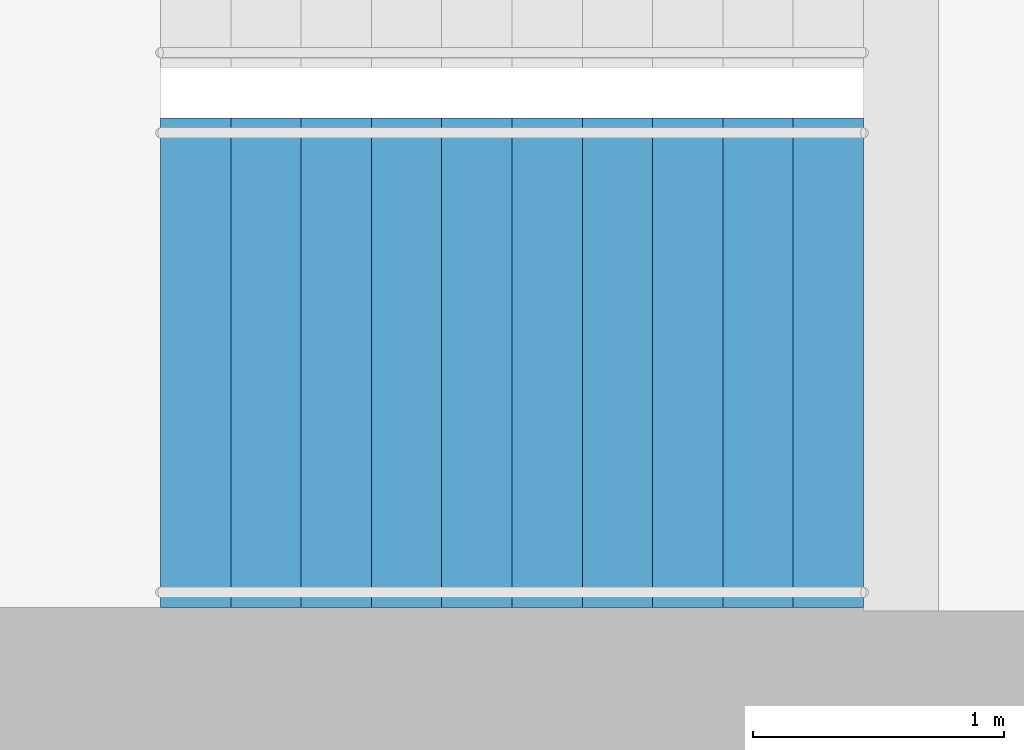
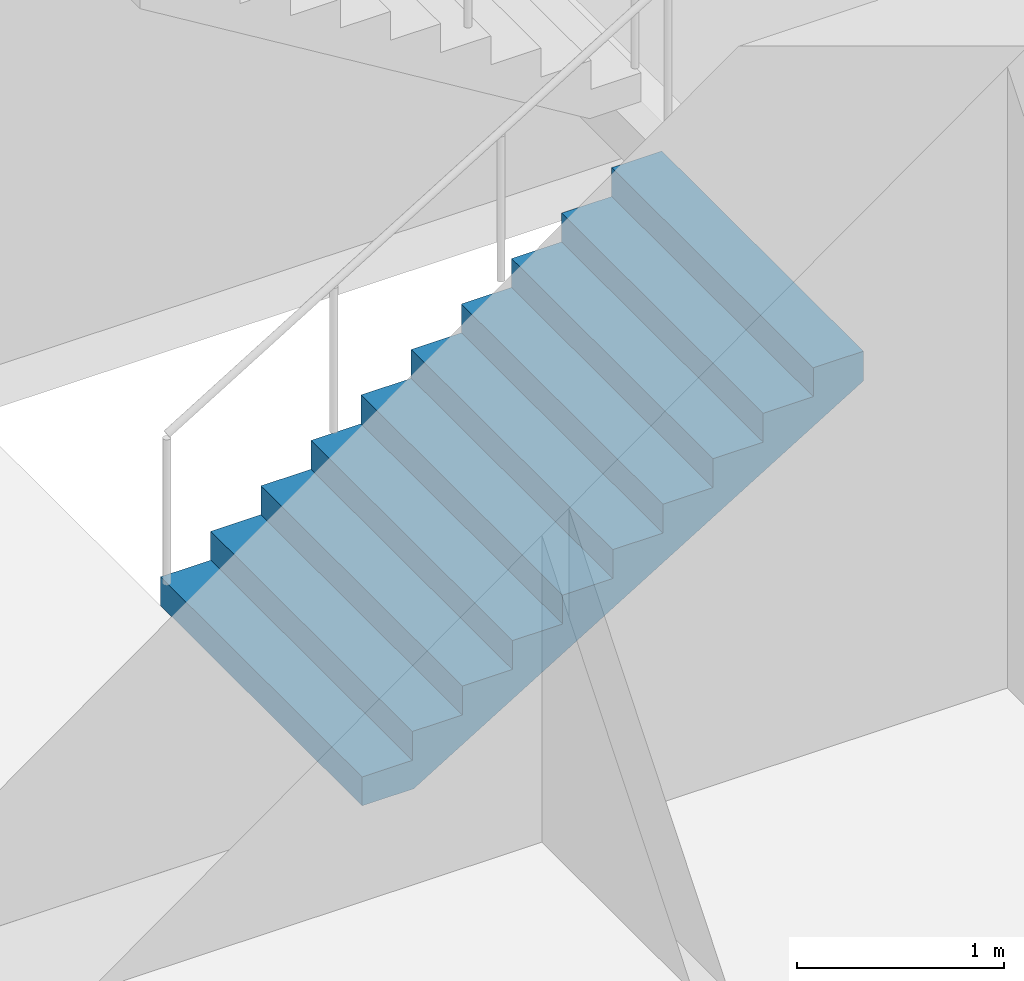
# One storey, part 19 of 23: 1 stair flight, 1 element without a shape of its own.
"""IFC4 building model written with IfcOpenShell, lengths in metres."""

import ifcopenshell
import ifcopenshell.guid

model = None  # the IFC model being written
_history = None  # IfcOwnerHistory: only IFC2X3 demands one
_inside = {}  # id of a spatial element -> (the spatial element, [elements in it])
_under = {}  # id of a project, library or spatial element -> (it, [spatial elements below it])
_declared = {}  # id of a project -> (the project, [libraries it declares])
_typed = {}  # id of a type object -> (the type object, [elements of that type])
_made_of = {}  # id of a material, layer set ... -> (it, [elements and type objects made of it])


def new_model(schema):
    """Start an empty IFC model of exactly this schema.

    Asked for "IFC4X3", IfcOpenShell would pick the latest addendum, in which some entities
    have other attributes; the version numbers below select the first issue.
    IFC2X3 requires an IfcOwnerHistory on every rooted entity: one is made here for all.
    """
    global model, _history
    if schema == "IFC4X3":
        model = ifcopenshell.file(schema_version=(4, 3, 0, 0))
    else:
        model = ifcopenshell.file(schema=schema)
    _inside.clear()
    _under.clear()
    _declared.clear()
    _typed.clear()
    _made_of.clear()
    _history = None
    if model.schema == "IFC2X3":
        org = make("IfcOrganization", Name="unknown")
        user = make(
            "IfcPersonAndOrganization",
            ThePerson=make("IfcPerson", FamilyName="unknown"),
            TheOrganization=org,
        )
        app = make(
            "IfcApplication",
            ApplicationDeveloper=org,
            Version="unknown",
            ApplicationFullName="unknown",
            ApplicationIdentifier="unknown",
        )
        _history = make(
            "IfcOwnerHistory",
            OwningUser=user,
            OwningApplication=app,
            ChangeAction="ADDED",
            CreationDate=0,
        )
    return model


def make(cls, **values):
    """One entity of the class cls with the attributes given. An attribute that is None is left unset."""
    return model.create_entity(
        cls, **{name: value for name, value in values.items() if value is not None}
    )


def rooted(cls, **values):
    """An entity with a GlobalId (a new one), such as an element, a storey or a relation."""
    return make(cls, GlobalId=ifcopenshell.guid.new(), OwnerHistory=_history, **values)


def si_unit(unit_type, name, prefix=None):
    """IfcSIUnit, for example si_unit("LENGTHUNIT", "METRE", prefix="MILLI")."""
    return make("IfcSIUnit", UnitType=unit_type, Prefix=prefix, Name=name)


def assignment(units):
    """IfcUnitAssignment: the units of a project."""
    return None if units is None else make("IfcUnitAssignment", Units=units)


def point(xyz):
    """IfcCartesianPoint."""
    return None if xyz is None else make("IfcCartesianPoint", Coordinates=xyz)


def direction(xyz):
    """IfcDirection."""
    return None if xyz is None else make("IfcDirection", DirectionRatios=xyz)


def frame(location, z_axis=None, x_axis=None):
    """IfcAxis2Placement3D, a coordinate frame: its origin and axes. An axis left out is left unset."""
    return make(
        "IfcAxis2Placement3D",
        Location=point(location),
        Axis=direction(z_axis),
        RefDirection=direction(x_axis),
    )


def origin():
    """The frame at (0, 0, 0) with its axes left unset."""
    return frame((0.0, 0.0, 0.0))


def place(relative_to, where):
    """IfcLocalPlacement: puts the frame where relative to a parent placement (None: the world)."""
    return make(
        "IfcLocalPlacement", PlacementRelTo=relative_to, RelativePlacement=where
    )


def context(
    kind, dimensions, precision=None, world=None, true_north=None, identifier=None
):
    """IfcGeometricRepresentationContext, for example the 3D "Model" context."""
    return make(
        "IfcGeometricRepresentationContext",
        ContextIdentifier=identifier,
        ContextType=kind,
        CoordinateSpaceDimension=dimensions,
        Precision=precision,
        WorldCoordinateSystem=world,
        TrueNorth=true_north,
    )


def subcontext(parent, identifier, kind, view, scale=None):
    """IfcGeometricRepresentationSubContext, for example "Body" below "Model"."""
    return make(
        "IfcGeometricRepresentationSubContext",
        ContextIdentifier=identifier,
        ContextType=kind,
        ParentContext=parent,
        TargetScale=scale,
        TargetView=view,
    )


def project(units=None, contexts=None):
    """IfcProject with its units and contexts."""
    return rooted(
        "IfcProject",
        Name="project",
        RepresentationContexts=contexts,
        UnitsInContext=assignment(units),
    )


def spatial(cls, under=None, at=None, **own):
    """A site, building, storey or space (cls), placed at a placement, below another one or the project."""
    s = rooted(cls, ObjectPlacement=at, **own)
    if under is not None:
        _under.setdefault(under.id(), (under, []))[1].append(s)
    return s


def point_list(points):
    """IfcCartesianPointList2D or 3D."""
    cls = (
        "IfcCartesianPointList2D" if len(points[0]) == 2 else "IfcCartesianPointList3D"
    )
    return make(cls, CoordList=points)


def triangles(points, corners, closed=None, point_numbers=None):
    """IfcTriangulatedFaceSet: each triangle names its three corners, points numbered from 1."""
    return make(
        "IfcTriangulatedFaceSet",
        Coordinates=point_list(points),
        Closed=closed,
        CoordIndex=corners,
        PnIndex=point_numbers,
    )


def shape(context_of_items, identifier, shape_type, items):
    """IfcShapeRepresentation: the items that make up one representation, for example the "Body"."""
    return make(
        "IfcShapeRepresentation",
        ContextOfItems=context_of_items,
        RepresentationIdentifier=identifier,
        RepresentationType=shape_type,
        Items=items,
    )


def material(Name=None, Category=None):
    """IfcMaterial."""
    return make("IfcMaterial", Name=Name, Category=Category)


def made_of(thing, what):
    """Note that an element or type object is made of a material, layer set ...; save() writes the relation."""
    if what is not None:
        _made_of.setdefault(what.id(), (what, []))[1].append(thing)
    return thing


def type_object(cls, material=None, **own):
    """A type object (cls), such as IfcWallType, which elements share."""
    return made_of(rooted(cls, **own), material)


def element(
    cls,
    number,
    at=None,
    inside=None,
    cuts=None,
    type_object=None,
    material=None,
    context=None,
    identifier="Body",
    shape_type=None,
    held_by="IfcProductDefinitionShape",
    body=None,
    shapes=None,
    **own,
):
    """One element of the class cls, such as IfcWall. Its Tag is "e" and its number.

    at: its placement. inside: the storey or other place that contains it. cuts: it is an
    opening in that element (IfcRelVoidsElement). A single representation is given by context,
    identifier, shape_type and body (its items); several are given by shapes. held_by: the class
    of the entity that holds the representations. save() writes the other relations.
    """
    e = rooted(cls, Tag="e%d" % number, ObjectPlacement=at, **own)
    if body is not None:
        shapes = [shape(context, identifier, shape_type, body)]
    if shapes is not None:
        e.Representation = make(held_by, Representations=shapes)
    if inside is not None:
        _inside.setdefault(inside.id(), (inside, []))[1].append(e)
    if cuts is not None:
        rooted(
            "IfcRelVoidsElement", RelatingBuildingElement=cuts, RelatedOpeningElement=e
        )
    if type_object is not None:
        _typed.setdefault(type_object.id(), (type_object, []))[1].append(e)
    return made_of(e, material)


def aggregate(whole, parts):
    """IfcRelAggregates: a whole, such as a stair, and the parts it consists of."""
    return rooted("IfcRelAggregates", RelatingObject=whole, RelatedObjects=parts)


def save(model, path):
    """Write the relations noted so far, then the file.

    IfcRelAggregates (storeys below a building ...), IfcRelContainedInSpatialStructure (elements
    in a storey), IfcRelDefinesByType, IfcRelAssociatesMaterial and IfcRelDeclares: one each for
    every whole, place, type object, material and project.
    """
    for whole, parts in _under.values():
        aggregate(whole, parts)
    for where, things in _inside.values():
        rooted(
            "IfcRelContainedInSpatialStructure",
            RelatedElements=things,
            RelatingStructure=where,
        )
    for kind, things in _typed.values():
        rooted("IfcRelDefinesByType", RelatedObjects=things, RelatingType=kind)
    for what, things in _made_of.values():
        rooted("IfcRelAssociatesMaterial", RelatedObjects=things, RelatingMaterial=what)
    for by, libraries in _declared.values():
        rooted("IfcRelDeclares", RelatingContext=by, RelatedDefinitions=libraries)
    model.write(path)


model = new_model("IFC4")

# Units and contexts
model_context = context("Model", 3, precision=1e-05, world=origin(), true_north=direction((0.0, 1.0)))
body_context = subcontext(model_context, "Body", "Model", "MODEL_VIEW")
ifc_project = project(units=[si_unit("LENGTHUNIT", "METRE"), si_unit("AREAUNIT", "SQUARE_METRE"), si_unit("VOLUMEUNIT", "CUBIC_METRE"), si_unit("PLANEANGLEUNIT", "RADIAN"), si_unit("MASSUNIT", "GRAM", prefix="KILO")], contexts=[model_context])

# Site, building, storey
site_placement = place(None, origin())
site = spatial("IfcSite", under=ifc_project, at=site_placement, CompositionType="ELEMENT")
building_placement = place(site_placement, origin())
building = spatial("IfcBuilding", under=site, at=building_placement, Name="Orbita Commons", CompositionType="ELEMENT")
storey_placement = place(building_placement, frame((0.0, 0.0, 224.050048828125)))
storey = spatial("IfcBuildingStorey", under=building, at=storey_placement, Name="L55", CompositionType="ELEMENT", Elevation=224.050048828125)

# Stair, stair flight
ifc_material_1 = material(Name="Precast concrete C40/50", Category="concrete")
stair_type = type_object("IfcStairType", Name="Exit stair S1 2 flights 11 risers 170", PredefinedType="HALF_TURN_STAIR", material=ifc_material_1)
stair_placement = place(storey_placement, origin())
stair = element("IfcStair", 1, at=stair_placement, inside=storey, type_object=stair_type, Name="Exit stair S1 L55", PredefinedType="HALF_TURN_STAIR")
ifc_material_2 = material(Name="Precast concrete C40/50", Category="concrete")
stair_flight_type = type_object("IfcStairFlightType", Name="Stair flight 11 risers 170 x 280", PredefinedType="STRAIGHT", material=ifc_material_2)
stair_flight_placement = place(storey_placement, frame((20.449951171875, 27.125, 0.0), z_axis=(0.0, 0.0, 1.0), x_axis=(1.0, 0.0, 0.0)))
stair_flight = element("IfcStairFlight", 2, at=stair_flight_placement, type_object=stair_flight_type, Name="S1 flight 1", NumberOfRisers=11, NumberOfTreads=10, PredefinedType="STRAIGHT", RiserHeight=0.170454545, TreadLength=0.28, context=body_context, shape_type="Tessellation", body=[
    triangles([(0.0, 0.974976, 0.0), (0.0, 0.974976, 0.021307), (0.0, 0.81248, 0.021307), (0.0, 0.81248, 0.0), (0.0, 0.649984, 0.021307), (0.0, 0.649984, 0.0), (0.0, 0.487488, 0.021307), (0.0, 0.487488, 0.0), (0.0, 0.324992, 0.021307), (0.0, 0.324992, 0.0), (0.0, 0.162496, 0.021307), (0.0, 0.162496, 0.0), (0.0, 0.0, 0.021307), (0.0, 0.0, 0.0), (0.0, -0.162496, 0.021307), (0.0, -0.162496, 0.0), (0.0, -0.324992, 0.021307), (0.0, -0.324992, 0.0), (0.0, -0.487488, 0.021307), (0.0, -0.487488, 0.0), (0.0, -0.649984, 0.021307), (0.0, -0.649984, 0.0), (0.0, -0.81248, 0.021307), (0.0, -0.81248, 0.0), (0.0, -0.974976, 0.021307), (0.0, -0.974976, 0.0), (0.0, 0.974976, 0.042614), (0.0, 0.81248, 0.042614), (0.0, 0.649984, 0.042614), (0.0, 0.487488, 0.042614), (0.0, 0.324992, 0.042614), (0.0, 0.162496, 0.042614), (0.0, 0.0, 0.042614), (0.0, -0.162496, 0.042614), (0.0, -0.324992, 0.042614), (0.0, -0.487488, 0.042614), (0.0, -0.649984, 0.042614), (0.0, -0.81248, 0.042614), (0.0, -0.974976, 0.042614), (0.0, 0.974976, 0.06392), (0.0, 0.81248, 0.06392), (0.0, 0.649984, 0.06392), (0.0, 0.487488, 0.06392), (0.0, 0.324992, 0.06392), (0.0, 0.162496, 0.06392), (0.0, 0.0, 0.06392), (0.0, -0.162496, 0.06392), (0.0, -0.324992, 0.06392), (0.0, -0.487488, 0.06392), (0.0, -0.649984, 0.06392), (0.0, -0.81248, 0.06392), (0.0, -0.974976, 0.06392), (0.0, 0.974976, 0.085227), (0.0, 0.81248, 0.085227), (0.0, 0.649984, 0.085227), (0.0, 0.487488, 0.085227), (0.0, 0.324992, 0.085227), (0.0, 0.162496, 0.085227), (0.0, 0.0, 0.085227), (0.0, -0.162496, 0.085227), (0.0, -0.324992, 0.085227), (0.0, -0.487488, 0.085227), (0.0, -0.649984, 0.085227), (0.0, -0.81248, 0.085227), (0.0, -0.974976, 0.085227), (0.0, 0.974976, 0.106534), (0.0, 0.81248, 0.106534), (0.0, 0.649984, 0.106534), (0.0, 0.487488, 0.106534), (0.0, 0.324992, 0.106534), (0.0, 0.162496, 0.106534), (0.0, 0.0, 0.106534), (0.0, -0.162496, 0.106534), (0.0, -0.324992, 0.106534), (0.0, -0.487488, 0.106534), (0.0, -0.649984, 0.106534), (0.0, -0.81248, 0.106534), (0.0, -0.974976, 0.106534), (0.0, 0.974976, 0.127841), (0.0, 0.81248, 0.127841), (0.0, 0.649984, 0.127841), (0.0, 0.487488, 0.127841), (0.0, 0.324992, 0.127841), (0.0, 0.162496, 0.127841), (0.0, 0.0, 0.127841), (0.0, -0.162496, 0.127841), (0.0, -0.324992, 0.127841), (0.0, -0.487488, 0.127841), (0.0, -0.649984, 0.127841), (0.0, -0.81248, 0.127841), (0.0, -0.974976, 0.127841), (0.0, 0.974976, 0.149148), (0.0, 0.81248, 0.149148), (0.0, 0.649984, 0.149148), (0.0, 0.487488, 0.149148), (0.0, 0.324992, 0.149148), (0.0, 0.162496, 0.149148), (0.0, 0.0, 0.149148), (0.0, -0.162496, 0.149148), (0.0, -0.324992, 0.149148), (0.0, -0.487488, 0.149148), (0.0, -0.649984, 0.149148), (0.0, -0.81248, 0.149148), (0.0, -0.974976, 0.149148), (0.0, 0.974976, 0.170455), (0.0, 0.81248, 0.170455), (0.0, 0.649984, 0.170455), (0.0, 0.487488, 0.170455), (0.0, 0.324992, 0.170455), (0.0, 0.162496, 0.170455), (0.0, 0.0, 0.170455), (0.0, -0.162496, 0.170455), (0.0, -0.324992, 0.170455), (0.0, -0.487488, 0.170455), (0.0, -0.649984, 0.170455), (0.0, -0.81248, 0.170455), (0.0, -0.974976, 0.170455), (0.28, 0.974976, 0.170455), (0.28, 0.81248, 0.170455), (0.28, 0.649984, 0.170455), (0.28, 0.487488, 0.170455), (0.28, 0.324992, 0.170455), (0.28, 0.162496, 0.170455), (0.28, 0.0, 0.170455), (0.28, -0.162496, 0.170455), (0.28, -0.324992, 0.170455), (0.28, -0.487488, 0.170455), (0.28, -0.649984, 0.170455), (0.28, -0.81248, 0.170455), (0.28, -0.974976, 0.170455), (0.28, 0.974976, 0.340909), (0.28, 0.81248, 0.340909), (0.28, 0.649984, 0.340909), (0.28, 0.487488, 0.340909), (0.28, 0.324992, 0.340909), (0.28, 0.162496, 0.340909), (0.28, 0.0, 0.340909), (0.28, -0.162496, 0.340909), (0.28, -0.324992, 0.340909), (0.28, -0.487488, 0.340909), (0.28, -0.649984, 0.340909), (0.28, -0.81248, 0.340909), (0.28, -0.974976, 0.340909), (0.56, 0.974976, 0.340909), (0.56, 0.81248, 0.340909), (0.56, 0.649984, 0.340909), (0.56, 0.487488, 0.340909), (0.56, 0.324992, 0.340909), (0.56, 0.162496, 0.340909), (0.56, 0.0, 0.340909), (0.56, -0.162496, 0.340909), (0.56, -0.324992, 0.340909), (0.56, -0.487488, 0.340909), (0.56, -0.649984, 0.340909), (0.56, -0.81248, 0.340909), (0.56, -0.974976, 0.340909), (0.56, 0.974976, 0.511364), (0.56, 0.81248, 0.511364), (0.56, 0.649984, 0.511364), (0.56, 0.487488, 0.511364), (0.56, 0.324992, 0.511364), (0.56, 0.162496, 0.511364), (0.56, 0.0, 0.511364), (0.56, -0.162496, 0.511364), (0.56, -0.324992, 0.511364), (0.56, -0.487488, 0.511364), (0.56, -0.649984, 0.511364), (0.56, -0.81248, 0.511364), (0.56, -0.974976, 0.511364), (0.84, 0.974976, 0.511364), (0.84, 0.81248, 0.511364), (0.84, 0.649984, 0.511364), (0.84, 0.487488, 0.511364), (0.84, 0.324992, 0.511364), (0.84, 0.162496, 0.511364), (0.84, 0.0, 0.511364), (0.84, -0.162496, 0.511364), (0.84, -0.324992, 0.511364), (0.84, -0.487488, 0.511364), (0.84, -0.649984, 0.511364), (0.84, -0.81248, 0.511364), (0.84, -0.974976, 0.511364), (0.84, 0.974976, 0.681818), (0.84, 0.81248, 0.681818), (0.84, 0.649984, 0.681818), (0.84, 0.487488, 0.681818), (0.84, 0.324992, 0.681818), (0.84, 0.162496, 0.681818), (0.84, 0.0, 0.681818), (0.84, -0.162496, 0.681818), (0.84, -0.324992, 0.681818), (0.84, -0.487488, 0.681818), (0.84, -0.649984, 0.681818), (0.84, -0.81248, 0.681818), (0.84, -0.974976, 0.681818), (1.12, 0.974976, 0.681818), (1.12, 0.81248, 0.681818), (1.12, 0.649984, 0.681818), (1.12, 0.487488, 0.681818), (1.12, 0.324992, 0.681818), (1.12, 0.162496, 0.681818), (1.12, 0.0, 0.681818), (1.12, -0.162496, 0.681818), (1.12, -0.324992, 0.681818), (1.12, -0.487488, 0.681818), (1.12, -0.649984, 0.681818), (1.12, -0.81248, 0.681818), (1.12, -0.974976, 0.681818), (1.12, 0.974976, 0.852273), (1.12, 0.81248, 0.852273), (1.12, 0.649984, 0.852273), (1.12, 0.487488, 0.852273), (1.12, 0.324992, 0.852273), (1.12, 0.162496, 0.852273), (1.12, 0.0, 0.852273), (1.12, -0.162496, 0.852273), (1.12, -0.324992, 0.852273), (1.12, -0.487488, 0.852273), (1.12, -0.649984, 0.852273), (1.12, -0.81248, 0.852273), (1.12, -0.974976, 0.852273), (1.4, 0.974976, 0.852273), (1.4, 0.81248, 0.852273), (1.4, 0.649984, 0.852273), (1.4, 0.487488, 0.852273), (1.4, 0.324992, 0.852273), (1.4, 0.162496, 0.852273), (1.4, 0.0, 0.852273), (1.4, -0.162496, 0.852273), (1.4, -0.324992, 0.852273), (1.4, -0.487488, 0.852273), (1.4, -0.649984, 0.852273), (1.4, -0.81248, 0.852273), (1.4, -0.974976, 0.852273), (1.4, 0.974976, 1.022727), (1.4, 0.81248, 1.022727), (1.4, 0.649984, 1.022727), (1.4, 0.487488, 1.022727), (1.4, 0.324992, 1.022727), (1.4, 0.162496, 1.022727), (1.4, 0.0, 1.022727), (1.4, -0.162496, 1.022727), (1.4, -0.324992, 1.022727), (1.4, -0.487488, 1.022727), (1.4, -0.649984, 1.022727), (1.4, -0.81248, 1.022727), (1.4, -0.974976, 1.022727), (1.68, 0.974976, 1.022727), (1.68, 0.81248, 1.022727), (1.68, 0.649984, 1.022727), (1.68, 0.487488, 1.022727), (1.68, 0.324992, 1.022727), (1.68, 0.162496, 1.022727), (1.68, 0.0, 1.022727), (1.68, -0.162496, 1.022727), (1.68, -0.324992, 1.022727), (1.68, -0.487488, 1.022727), (1.68, -0.649984, 1.022727), (1.68, -0.81248, 1.022727), (1.68, -0.974976, 1.022727), (1.68, 0.974976, 1.193182), (1.68, 0.81248, 1.193182), (1.68, 0.649984, 1.193182), (1.68, 0.487488, 1.193182), (1.68, 0.324992, 1.193182), (1.68, 0.162496, 1.193182), (1.68, 0.0, 1.193182), (1.68, -0.162496, 1.193182), (1.68, -0.324992, 1.193182), (1.68, -0.487488, 1.193182), (1.68, -0.649984, 1.193182), (1.68, -0.81248, 1.193182), (1.68, -0.974976, 1.193182), (1.96, 0.974976, 1.193182), (1.96, 0.81248, 1.193182), (1.96, 0.649984, 1.193182), (1.96, 0.487488, 1.193182), (1.96, 0.324992, 1.193182), (1.96, 0.162496, 1.193182), (1.96, 0.0, 1.193182), (1.96, -0.162496, 1.193182), (1.96, -0.324992, 1.193182), (1.96, -0.487488, 1.193182), (1.96, -0.649984, 1.193182), (1.96, -0.81248, 1.193182), (1.96, -0.974976, 1.193182), (1.96, 0.974976, 1.363636), (1.96, 0.81248, 1.363636), (1.96, 0.649984, 1.363636), (1.96, 0.487488, 1.363636), (1.96, 0.324992, 1.363636), (1.96, 0.162496, 1.363636), (1.96, 0.0, 1.363636), (1.96, -0.162496, 1.363636), (1.96, -0.324992, 1.363636), (1.96, -0.487488, 1.363636), (1.96, -0.649984, 1.363636), (1.96, -0.81248, 1.363636), (1.96, -0.974976, 1.363636), (2.24, 0.974976, 1.363636), (2.24, 0.81248, 1.363636), (2.24, 0.649984, 1.363636), (2.24, 0.487488, 1.363636), (2.24, 0.324992, 1.363636), (2.24, 0.162496, 1.363636), (2.24, 0.0, 1.363636), (2.24, -0.162496, 1.363636), (2.24, -0.324992, 1.363636), (2.24, -0.487488, 1.363636), (2.24, -0.649984, 1.363636), (2.24, -0.81248, 1.363636), (2.24, -0.974976, 1.363636), (2.24, 0.974976, 1.534091), (2.24, 0.81248, 1.534091), (2.24, 0.649984, 1.534091), (2.24, 0.487488, 1.534091), (2.24, 0.324992, 1.534091), (2.24, 0.162496, 1.534091), (2.24, 0.0, 1.534091), (2.24, -0.162496, 1.534091), (2.24, -0.324992, 1.534091), (2.24, -0.487488, 1.534091), (2.24, -0.649984, 1.534091), (2.24, -0.81248, 1.534091), (2.24, -0.974976, 1.534091), (2.52, 0.974976, 1.534091), (2.52, 0.81248, 1.534091), (2.52, 0.649984, 1.534091), (2.52, 0.487488, 1.534091), (2.52, 0.324992, 1.534091), (2.52, 0.162496, 1.534091), (2.52, 0.0, 1.534091), (2.52, -0.162496, 1.534091), (2.52, -0.324992, 1.534091), (2.52, -0.487488, 1.534091), (2.52, -0.649984, 1.534091), (2.52, -0.81248, 1.534091), (2.52, -0.974976, 1.534091), (2.52, 0.974976, 1.704545), (2.52, 0.81248, 1.704545), (2.52, 0.649984, 1.704545), (2.52, 0.487488, 1.704545), (2.52, 0.324992, 1.704545), (2.52, 0.162496, 1.704545), (2.52, 0.0, 1.704545), (2.52, -0.162496, 1.704545), (2.52, -0.324992, 1.704545), (2.52, -0.487488, 1.704545), (2.52, -0.649984, 1.704545), (2.52, -0.81248, 1.704545), (2.52, -0.974976, 1.704545), (2.8, 0.974976, 1.704545), (2.8, 0.81248, 1.704545), (2.8, 0.649984, 1.704545), (2.8, 0.487488, 1.704545), (2.8, 0.324992, 1.704545), (2.8, 0.162496, 1.704545), (2.8, 0.0, 1.704545), (2.8, -0.162496, 1.704545), (2.8, -0.324992, 1.704545), (2.8, -0.487488, 1.704545), (2.8, -0.649984, 1.704545), (2.8, -0.81248, 1.704545), (2.8, -0.974976, 1.704545), (2.8, 0.974976, 1.682609), (2.8, 0.81248, 1.682609), (2.8, 0.649984, 1.682609), (2.8, 0.487488, 1.682609), (2.8, 0.324992, 1.682609), (2.8, 0.162496, 1.682609), (2.8, 0.0, 1.682609), (2.8, -0.162496, 1.682609), (2.8, -0.324992, 1.682609), (2.8, -0.487488, 1.682609), (2.8, -0.649984, 1.682609), (2.8, -0.81248, 1.682609), (2.8, -0.974976, 1.682609), (2.8, 0.974976, 1.660672), (2.8, 0.81248, 1.660672), (2.8, 0.649984, 1.660672), (2.8, 0.487488, 1.660672), (2.8, 0.324992, 1.660672), (2.8, 0.162496, 1.660672), (2.8, 0.0, 1.660672), (2.8, -0.162496, 1.660672), (2.8, -0.324992, 1.660672), (2.8, -0.487488, 1.660672), (2.8, -0.649984, 1.660672), (2.8, -0.81248, 1.660672), (2.8, -0.974976, 1.660672), (2.8, 0.974976, 1.638735), (2.8, 0.81248, 1.638735), (2.8, 0.649984, 1.638735), (2.8, 0.487488, 1.638735), (2.8, 0.324992, 1.638735), (2.8, 0.162496, 1.638735), (2.8, 0.0, 1.638735), (2.8, -0.162496, 1.638735), (2.8, -0.324992, 1.638735), (2.8, -0.487488, 1.638735), (2.8, -0.649984, 1.638735), (2.8, -0.81248, 1.638735), (2.8, -0.974976, 1.638735), (2.8, 0.974976, 1.616798), (2.8, 0.81248, 1.616798), (2.8, 0.649984, 1.616798), (2.8, 0.487488, 1.616798), (2.8, 0.324992, 1.616798), (2.8, 0.162496, 1.616798), (2.8, 0.0, 1.616798), (2.8, -0.162496, 1.616798), (2.8, -0.324992, 1.616798), (2.8, -0.487488, 1.616798), (2.8, -0.649984, 1.616798), (2.8, -0.81248, 1.616798), (2.8, -0.974976, 1.616798), (2.8, 0.974976, 1.594861), (2.8, 0.81248, 1.594861), (2.8, 0.649984, 1.594861), (2.8, 0.487488, 1.594861), (2.8, 0.324992, 1.594861), (2.8, 0.162496, 1.594861), (2.8, 0.0, 1.594861), (2.8, -0.162496, 1.594861), (2.8, -0.324992, 1.594861), (2.8, -0.487488, 1.594861), (2.8, -0.649984, 1.594861), (2.8, -0.81248, 1.594861), (2.8, -0.974976, 1.594861), (2.8, 0.974976, 1.572925), (2.8, 0.81248, 1.572925), (2.8, 0.649984, 1.572925), (2.8, 0.487488, 1.572925), (2.8, 0.324992, 1.572925), (2.8, 0.162496, 1.572925), (2.8, 0.0, 1.572925), (2.8, -0.162496, 1.572925), (2.8, -0.324992, 1.572925), (2.8, -0.487488, 1.572925), (2.8, -0.649984, 1.572925), (2.8, -0.81248, 1.572925), (2.8, -0.974976, 1.572925), (2.8, 0.974976, 1.550988), (2.8, 0.81248, 1.550988), (2.8, 0.649984, 1.550988), (2.8, 0.487488, 1.550988), (2.8, 0.324992, 1.550988), (2.8, 0.162496, 1.550988), (2.8, 0.0, 1.550988), (2.8, -0.162496, 1.550988), (2.8, -0.324992, 1.550988), (2.8, -0.487488, 1.550988), (2.8, -0.649984, 1.550988), (2.8, -0.81248, 1.550988), (2.8, -0.974976, 1.550988), (2.8, 0.974976, 1.529051), (2.8, 0.81248, 1.529051), (2.8, 0.649984, 1.529051), (2.8, 0.487488, 1.529051), (2.8, 0.324992, 1.529051), (2.8, 0.162496, 1.529051), (2.8, 0.0, 1.529051), (2.8, -0.162496, 1.529051), (2.8, -0.324992, 1.529051), (2.8, -0.487488, 1.529051), (2.8, -0.649984, 1.529051), (2.8, -0.81248, 1.529051), (2.8, -0.974976, 1.529051), (0.288279, 0.974976, 0.0), (0.288279, 0.81248, 0.0), (0.288279, 0.649984, 0.0), (0.288279, 0.487488, 0.0), (0.288279, 0.324992, 0.0), (0.288279, 0.162496, 0.0), (0.288279, 0.0, 0.0), (0.288279, -0.162496, 0.0), (0.288279, -0.324992, 0.0), (0.288279, -0.487488, 0.0), (0.288279, -0.649984, 0.0), (0.288279, -0.81248, 0.0), (0.288279, -0.974976, 0.0)], [[3, 2, 1], [4, 3, 1], [5, 3, 4], [6, 5, 4], [7, 5, 6], [8, 7, 6], [9, 7, 8], [10, 9, 8], [11, 9, 10], [12, 11, 10], [13, 11, 12], [14, 13, 12], [15, 13, 14], [16, 15, 14], [17, 15, 16], [18, 17, 16], [19, 17, 18], [20, 19, 18], [21, 19, 20], [22, 21, 20], [23, 21, 22], [24, 23, 22], [25, 23, 24], [26, 25, 24], [28, 27, 2], [3, 28, 2], [29, 28, 3], [5, 29, 3], [30, 29, 5], [7, 30, 5], [31, 30, 7], [9, 31, 7], [32, 31, 9], [11, 32, 9], [33, 32, 11], [13, 33, 11], [34, 33, 13], [15, 34, 13], [35, 34, 15], [17, 35, 15], [36, 35, 17], [19, 36, 17], [37, 36, 19], [21, 37, 19], [38, 37, 21], [23, 38, 21], [39, 38, 23], [25, 39, 23], [41, 40, 27], [28, 41, 27], [42, 41, 28], [29, 42, 28], [43, 42, 29], [30, 43, 29], [44, 43, 30], [31, 44, 30], [45, 44, 31], [32, 45, 31], [46, 45, 32], [33, 46, 32], [47, 46, 33], [34, 47, 33], [48, 47, 34], [35, 48, 34], [49, 48, 35], [36, 49, 35], [50, 49, 36], [37, 50, 36], [51, 50, 37], [38, 51, 37], [52, 51, 38], [39, 52, 38], [54, 53, 40], [41, 54, 40], [55, 54, 41], [42, 55, 41], [56, 55, 42], [43, 56, 42], [57, 56, 43], [44, 57, 43], [58, 57, 44], [45, 58, 44], [59, 58, 45], [46, 59, 45], [60, 59, 46], [47, 60, 46], [61, 60, 47], [48, 61, 47], [62, 61, 48], [49, 62, 48], [63, 62, 49], [50, 63, 49], [64, 63, 50], [51, 64, 50], [65, 64, 51], [52, 65, 51], [67, 66, 53], [54, 67, 53], [68, 67, 54], [55, 68, 54], [69, 68, 55], [56, 69, 55], [70, 69, 56], [57, 70, 56], [71, 70, 57], [58, 71, 57], [72, 71, 58], [59, 72, 58], [73, 72, 59], [60, 73, 59], [74, 73, 60], [61, 74, 60], [75, 74, 61], [62, 75, 61], [76, 75, 62], [63, 76, 62], [77, 76, 63], [64, 77, 63], [78, 77, 64], [65, 78, 64], [80, 79, 66], [67, 80, 66], [81, 80, 67], [68, 81, 67], [82, 81, 68], [69, 82, 68], [83, 82, 69], [70, 83, 69], [84, 83, 70], [71, 84, 70], [85, 84, 71], [72, 85, 71], [86, 85, 72], [73, 86, 72], [87, 86, 73], [74, 87, 73], [88, 87, 74], [75, 88, 74], [89, 88, 75], [76, 89, 75], [90, 89, 76], [77, 90, 76], [91, 90, 77], [78, 91, 77], [93, 92, 79], [80, 93, 79], [94, 93, 80], [81, 94, 80], [95, 94, 81], [82, 95, 81], [96, 95, 82], [83, 96, 82], [97, 96, 83], [84, 97, 83], [98, 97, 84], [85, 98, 84], [99, 98, 85], [86, 99, 85], [100, 99, 86], [87, 100, 86], [101, 100, 87], [88, 101, 87], [102, 101, 88], [89, 102, 88], [103, 102, 89], [90, 103, 89], [104, 103, 90], [91, 104, 90], [106, 105, 92], [93, 106, 92], [107, 106, 93], [94, 107, 93], [108, 107, 94], [95, 108, 94], [109, 108, 95], [96, 109, 95], [110, 109, 96], [97, 110, 96], [111, 110, 97], [98, 111, 97], [112, 111, 98], [99, 112, 98], [113, 112, 99], [100, 113, 99], [114, 113, 100], [101, 114, 100], [115, 114, 101], [102, 115, 101], [116, 115, 102], [103, 116, 102], [117, 116, 103], [104, 117, 103], [119, 118, 105], [106, 119, 105], [120, 119, 106], [107, 120, 106], [121, 120, 107], [108, 121, 107], [122, 121, 108], [109, 122, 108], [123, 122, 109], [110, 123, 109], [124, 123, 110], [111, 124, 110], [125, 124, 111], [112, 125, 111], [126, 125, 112], [113, 126, 112], [127, 126, 113], [114, 127, 113], [128, 127, 114], [115, 128, 114], [129, 128, 115], [116, 129, 115], [130, 129, 116], [117, 130, 116], [132, 131, 118], [119, 132, 118], [133, 132, 119], [120, 133, 119], [134, 133, 120], [121, 134, 120], [135, 134, 121], [122, 135, 121], [136, 135, 122], [123, 136, 122], [137, 136, 123], [124, 137, 123], [138, 137, 124], [125, 138, 124], [139, 138, 125], [126, 139, 125], [140, 139, 126], [127, 140, 126], [141, 140, 127], [128, 141, 127], [142, 141, 128], [129, 142, 128], [143, 142, 129], [130, 143, 129], [145, 144, 131], [132, 145, 131], [146, 145, 132], [133, 146, 132], [147, 146, 133], [134, 147, 133], [148, 147, 134], [135, 148, 134], [149, 148, 135], [136, 149, 135], [150, 149, 136], [137, 150, 136], [151, 150, 137], [138, 151, 137], [152, 151, 138], [139, 152, 138], [153, 152, 139], [140, 153, 139], [154, 153, 140], [141, 154, 140], [155, 154, 141], [142, 155, 141], [156, 155, 142], [143, 156, 142], [158, 157, 144], [145, 158, 144], [159, 158, 145], [146, 159, 145], [160, 159, 146], [147, 160, 146], [161, 160, 147], [148, 161, 147], [162, 161, 148], [149, 162, 148], [163, 162, 149], [150, 163, 149], [164, 163, 150], [151, 164, 150], [165, 164, 151], [152, 165, 151], [166, 165, 152], [153, 166, 152], [167, 166, 153], [154, 167, 153], [168, 167, 154], [155, 168, 154], [169, 168, 155], [156, 169, 155], [171, 170, 157], [158, 171, 157], [172, 171, 158], [159, 172, 158], [173, 172, 159], [160, 173, 159], [174, 173, 160], [161, 174, 160], [175, 174, 161], [162, 175, 161], [176, 175, 162], [163, 176, 162], [177, 176, 163], [164, 177, 163], [178, 177, 164], [165, 178, 164], [179, 178, 165], [166, 179, 165], [180, 179, 166], [167, 180, 166], [181, 180, 167], [168, 181, 167], [182, 181, 168], [169, 182, 168], [184, 183, 170], [171, 184, 170], [185, 184, 171], [172, 185, 171], [186, 185, 172], [173, 186, 172], [187, 186, 173], [174, 187, 173], [188, 187, 174], [175, 188, 174], [189, 188, 175], [176, 189, 175], [190, 189, 176], [177, 190, 176], [191, 190, 177], [178, 191, 177], [192, 191, 178], [179, 192, 178], [193, 192, 179], [180, 193, 179], [194, 193, 180], [181, 194, 180], [195, 194, 181], [182, 195, 181], [197, 196, 183], [184, 197, 183], [198, 197, 184], [185, 198, 184], [199, 198, 185], [186, 199, 185], [200, 199, 186], [187, 200, 186], [201, 200, 187], [188, 201, 187], [202, 201, 188], [189, 202, 188], [203, 202, 189], [190, 203, 189], [204, 203, 190], [191, 204, 190], [205, 204, 191], [192, 205, 191], [206, 205, 192], [193, 206, 192], [207, 206, 193], [194, 207, 193], [208, 207, 194], [195, 208, 194], [210, 209, 196], [197, 210, 196], [211, 210, 197], [198, 211, 197], [212, 211, 198], [199, 212, 198], [213, 212, 199], [200, 213, 199], [214, 213, 200], [201, 214, 200], [215, 214, 201], [202, 215, 201], [216, 215, 202], [203, 216, 202], [217, 216, 203], [204, 217, 203], [218, 217, 204], [205, 218, 204], [219, 218, 205], [206, 219, 205], [220, 219, 206], [207, 220, 206], [221, 220, 207], [208, 221, 207], [223, 222, 209], [210, 223, 209], [224, 223, 210], [211, 224, 210], [225, 224, 211], [212, 225, 211], [226, 225, 212], [213, 226, 212], [227, 226, 213], [214, 227, 213], [228, 227, 214], [215, 228, 214], [229, 228, 215], [216, 229, 215], [230, 229, 216], [217, 230, 216], [231, 230, 217], [218, 231, 217], [232, 231, 218], [219, 232, 218], [233, 232, 219], [220, 233, 219], [234, 233, 220], [221, 234, 220], [236, 235, 222], [223, 236, 222], [237, 236, 223], [224, 237, 223], [238, 237, 224], [225, 238, 224], [239, 238, 225], [226, 239, 225], [240, 239, 226], [227, 240, 226], [241, 240, 227], [228, 241, 227], [242, 241, 228], [229, 242, 228], [243, 242, 229], [230, 243, 229], [244, 243, 230], [231, 244, 230], [245, 244, 231], [232, 245, 231], [246, 245, 232], [233, 246, 232], [247, 246, 233], [234, 247, 233], [249, 248, 235], [236, 249, 235], [250, 249, 236], [237, 250, 236], [251, 250, 237], [238, 251, 237], [252, 251, 238], [239, 252, 238], [253, 252, 239], [240, 253, 239], [254, 253, 240], [241, 254, 240], [255, 254, 241], [242, 255, 241], [256, 255, 242], [243, 256, 242], [257, 256, 243], [244, 257, 243], [258, 257, 244], [245, 258, 244], [259, 258, 245], [246, 259, 245], [260, 259, 246], [247, 260, 246], [262, 261, 248], [249, 262, 248], [263, 262, 249], [250, 263, 249], [264, 263, 250], [251, 264, 250], [265, 264, 251], [252, 265, 251], [266, 265, 252], [253, 266, 252], [267, 266, 253], [254, 267, 253], [268, 267, 254], [255, 268, 254], [269, 268, 255], [256, 269, 255], [270, 269, 256], [257, 270, 256], [271, 270, 257], [258, 271, 257], [272, 271, 258], [259, 272, 258], [273, 272, 259], [260, 273, 259], [275, 274, 261], [262, 275, 261], [276, 275, 262], [263, 276, 262], [277, 276, 263], [264, 277, 263], [278, 277, 264], [265, 278, 264], [279, 278, 265], [266, 279, 265], [280, 279, 266], [267, 280, 266], [281, 280, 267], [268, 281, 267], [282, 281, 268], [269, 282, 268], [283, 282, 269], [270, 283, 269], [284, 283, 270], [271, 284, 270], [285, 284, 271], [272, 285, 271], [286, 285, 272], [273, 286, 272], [288, 287, 274], [275, 288, 274], [289, 288, 275], [276, 289, 275], [290, 289, 276], [277, 290, 276], [291, 290, 277], [278, 291, 277], [292, 291, 278], [279, 292, 278], [293, 292, 279], [280, 293, 279], [294, 293, 280], [281, 294, 280], [295, 294, 281], [282, 295, 281], [296, 295, 282], [283, 296, 282], [297, 296, 283], [284, 297, 283], [298, 297, 284], [285, 298, 284], [299, 298, 285], [286, 299, 285], [301, 300, 287], [288, 301, 287], [302, 301, 288], [289, 302, 288], [303, 302, 289], [290, 303, 289], [304, 303, 290], [291, 304, 290], [305, 304, 291], [292, 305, 291], [306, 305, 292], [293, 306, 292], [307, 306, 293], [294, 307, 293], [308, 307, 294], [295, 308, 294], [309, 308, 295], [296, 309, 295], [310, 309, 296], [297, 310, 296], [311, 310, 297], [298, 311, 297], [312, 311, 298], [299, 312, 298], [314, 313, 300], [301, 314, 300], [315, 314, 301], [302, 315, 301], [316, 315, 302], [303, 316, 302], [317, 316, 303], [304, 317, 303], [318, 317, 304], [305, 318, 304], [319, 318, 305], [306, 319, 305], [320, 319, 306], [307, 320, 306], [321, 320, 307], [308, 321, 307], [322, 321, 308], [309, 322, 308], [323, 322, 309], [310, 323, 309], [324, 323, 310], [311, 324, 310], [325, 324, 311], [312, 325, 311], [327, 326, 313], [314, 327, 313], [328, 327, 314], [315, 328, 314], [329, 328, 315], [316, 329, 315], [330, 329, 316], [317, 330, 316], [331, 330, 317], [318, 331, 317], [332, 331, 318], [319, 332, 318], [333, 332, 319], [320, 333, 319], [334, 333, 320], [321, 334, 320], [335, 334, 321], [322, 335, 321], [336, 335, 322], [323, 336, 322], [337, 336, 323], [324, 337, 323], [338, 337, 324], [325, 338, 324], [340, 339, 326], [327, 340, 326], [341, 340, 327], [328, 341, 327], [342, 341, 328], [329, 342, 328], [343, 342, 329], [330, 343, 329], [344, 343, 330], [331, 344, 330], [345, 344, 331], [332, 345, 331], [346, 345, 332], [333, 346, 332], [347, 346, 333], [334, 347, 333], [348, 347, 334], [335, 348, 334], [349, 348, 335], [336, 349, 335], [350, 349, 336], [337, 350, 336], [351, 350, 337], [338, 351, 337], [353, 352, 339], [340, 353, 339], [354, 353, 340], [341, 354, 340], [355, 354, 341], [342, 355, 341], [356, 355, 342], [343, 356, 342], [357, 356, 343], [344, 357, 343], [358, 357, 344], [345, 358, 344], [359, 358, 345], [346, 359, 345], [360, 359, 346], [347, 360, 346], [361, 360, 347], [348, 361, 347], [362, 361, 348], [349, 362, 348], [363, 362, 349], [350, 363, 349], [364, 363, 350], [351, 364, 350], [366, 365, 352], [353, 366, 352], [367, 366, 353], [354, 367, 353], [368, 367, 354], [355, 368, 354], [369, 368, 355], [356, 369, 355], [370, 369, 356], [357, 370, 356], [371, 370, 357], [358, 371, 357], [372, 371, 358], [359, 372, 358], [373, 372, 359], [360, 373, 359], [374, 373, 360], [361, 374, 360], [375, 374, 361], [362, 375, 361], [376, 375, 362], [363, 376, 362], [377, 376, 363], [364, 377, 363], [379, 378, 365], [366, 379, 365], [380, 379, 366], [367, 380, 366], [381, 380, 367], [368, 381, 367], [382, 381, 368], [369, 382, 368], [383, 382, 369], [370, 383, 369], [384, 383, 370], [371, 384, 370], [385, 384, 371], [372, 385, 371], [386, 385, 372], [373, 386, 372], [387, 386, 373], [374, 387, 373], [388, 387, 374], [375, 388, 374], [389, 388, 375], [376, 389, 375], [390, 389, 376], [377, 390, 376], [392, 391, 378], [379, 392, 378], [393, 392, 379], [380, 393, 379], [394, 393, 380], [381, 394, 380], [395, 394, 381], [382, 395, 381], [396, 395, 382], [383, 396, 382], [397, 396, 383], [384, 397, 383], [398, 397, 384], [385, 398, 384], [399, 398, 385], [386, 399, 385], [400, 399, 386], [387, 400, 386], [401, 400, 387], [388, 401, 387], [402, 401, 388], [389, 402, 388], [403, 402, 389], [390, 403, 389], [405, 404, 391], [392, 405, 391], [406, 405, 392], [393, 406, 392], [407, 406, 393], [394, 407, 393], [408, 407, 394], [395, 408, 394], [409, 408, 395], [396, 409, 395], [410, 409, 396], [397, 410, 396], [411, 410, 397], [398, 411, 397], [412, 411, 398], [399, 412, 398], [413, 412, 399], [400, 413, 399], [414, 413, 400], [401, 414, 400], [415, 414, 401], [402, 415, 401], [416, 415, 402], [403, 416, 402], [418, 417, 404], [405, 418, 404], [419, 418, 405], [406, 419, 405], [420, 419, 406], [407, 420, 406], [421, 420, 407], [408, 421, 407], [422, 421, 408], [409, 422, 408], [423, 422, 409], [410, 423, 409], [424, 423, 410], [411, 424, 410], [425, 424, 411], [412, 425, 411], [426, 425, 412], [413, 426, 412], [427, 426, 413], [414, 427, 413], [428, 427, 414], [415, 428, 414], [429, 428, 415], [416, 429, 415], [431, 430, 417], [418, 431, 417], [432, 431, 418], [419, 432, 418], [433, 432, 419], [420, 433, 419], [434, 433, 420], [421, 434, 420], [435, 434, 421], [422, 435, 421], [436, 435, 422], [423, 436, 422], [437, 436, 423], [424, 437, 423], [438, 437, 424], [425, 438, 424], [439, 438, 425], [426, 439, 425], [440, 439, 426], [427, 440, 426], [441, 440, 427], [428, 441, 427], [442, 441, 428], [429, 442, 428], [444, 443, 430], [431, 444, 430], [445, 444, 431], [432, 445, 431], [446, 445, 432], [433, 446, 432], [447, 446, 433], [434, 447, 433], [448, 447, 434], [435, 448, 434], [449, 448, 435], [436, 449, 435], [450, 449, 436], [437, 450, 436], [451, 450, 437], [438, 451, 437], [452, 451, 438], [439, 452, 438], [453, 452, 439], [440, 453, 439], [454, 453, 440], [441, 454, 440], [455, 454, 441], [442, 455, 441], [457, 456, 443], [444, 457, 443], [458, 457, 444], [445, 458, 444], [459, 458, 445], [446, 459, 445], [460, 459, 446], [447, 460, 446], [461, 460, 447], [448, 461, 447], [462, 461, 448], [449, 462, 448], [463, 462, 449], [450, 463, 449], [464, 463, 450], [451, 464, 450], [465, 464, 451], [452, 465, 451], [466, 465, 452], [453, 466, 452], [467, 466, 453], [454, 467, 453], [468, 467, 454], [455, 468, 454], [470, 469, 456], [457, 470, 456], [471, 470, 457], [458, 471, 457], [472, 471, 458], [459, 472, 458], [473, 472, 459], [460, 473, 459], [474, 473, 460], [461, 474, 460], [475, 474, 461], [462, 475, 461], [476, 475, 462], [463, 476, 462], [477, 476, 463], [464, 477, 463], [478, 477, 464], [465, 478, 464], [479, 478, 465], [466, 479, 465], [480, 479, 466], [467, 480, 466], [481, 480, 467], [468, 481, 467], [4, 1, 469], [470, 4, 469], [6, 4, 470], [471, 6, 470], [8, 6, 471], [472, 8, 471], [10, 8, 472], [473, 10, 472], [12, 10, 473], [474, 12, 473], [14, 12, 474], [475, 14, 474], [16, 14, 475], [476, 16, 475], [18, 16, 476], [477, 18, 476], [20, 18, 477], [478, 20, 477], [22, 20, 478], [479, 22, 478], [24, 22, 479], [480, 24, 479], [26, 24, 480], [481, 26, 480], [456, 469, 1], [26, 481, 468], [443, 456, 1], [26, 468, 455], [430, 443, 1], [26, 455, 442], [417, 430, 1], [26, 442, 429], [404, 417, 1], [26, 429, 416], [391, 404, 1], [26, 416, 403], [378, 391, 1], [26, 403, 390], [365, 378, 1], [26, 390, 377], [339, 352, 365], [377, 364, 351], [326, 339, 365], [377, 351, 338], [300, 313, 326], [338, 325, 312], [300, 326, 365], [377, 338, 312], [274, 287, 300], [312, 299, 286], [274, 300, 365], [377, 312, 286], [248, 261, 274], [286, 273, 260], [248, 274, 365], [377, 286, 260], [222, 235, 248], [260, 247, 234], [222, 248, 365], [377, 260, 234], [196, 209, 222], [234, 221, 208], [196, 222, 365], [377, 234, 208], [170, 183, 196], [208, 195, 182], [170, 196, 365], [377, 208, 182], [144, 157, 170], [182, 169, 156], [144, 170, 365], [377, 182, 156], [118, 131, 144], [156, 143, 130], [118, 144, 365], [377, 156, 130], [118, 365, 1], [26, 377, 130], [92, 105, 118], [130, 117, 104], [79, 92, 118], [130, 104, 91], [66, 79, 118], [130, 91, 78], [53, 66, 118], [130, 78, 65], [40, 53, 118], [130, 65, 52], [27, 40, 118], [130, 52, 39], [2, 27, 118], [130, 39, 25], [1, 2, 118], [130, 25, 26]], closed=True),
])
aggregate(stair, [stair_flight])

save(model, "model.ifc")
